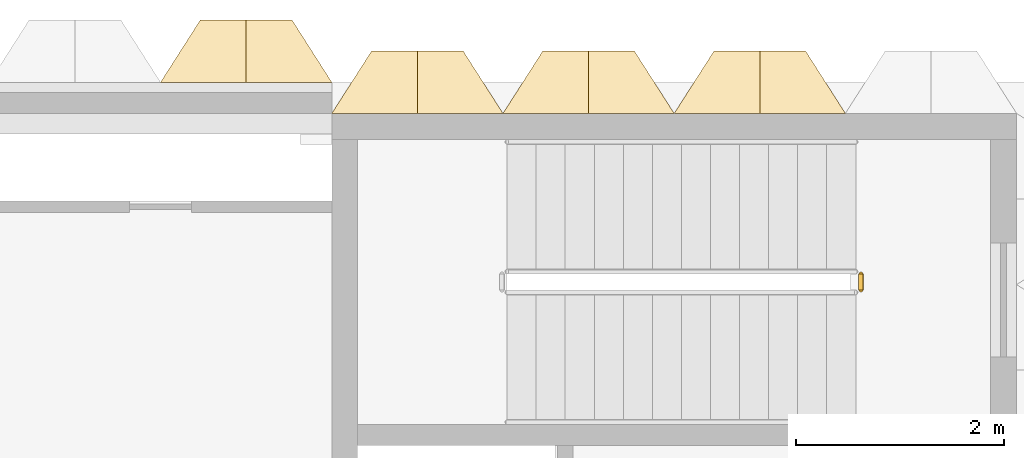
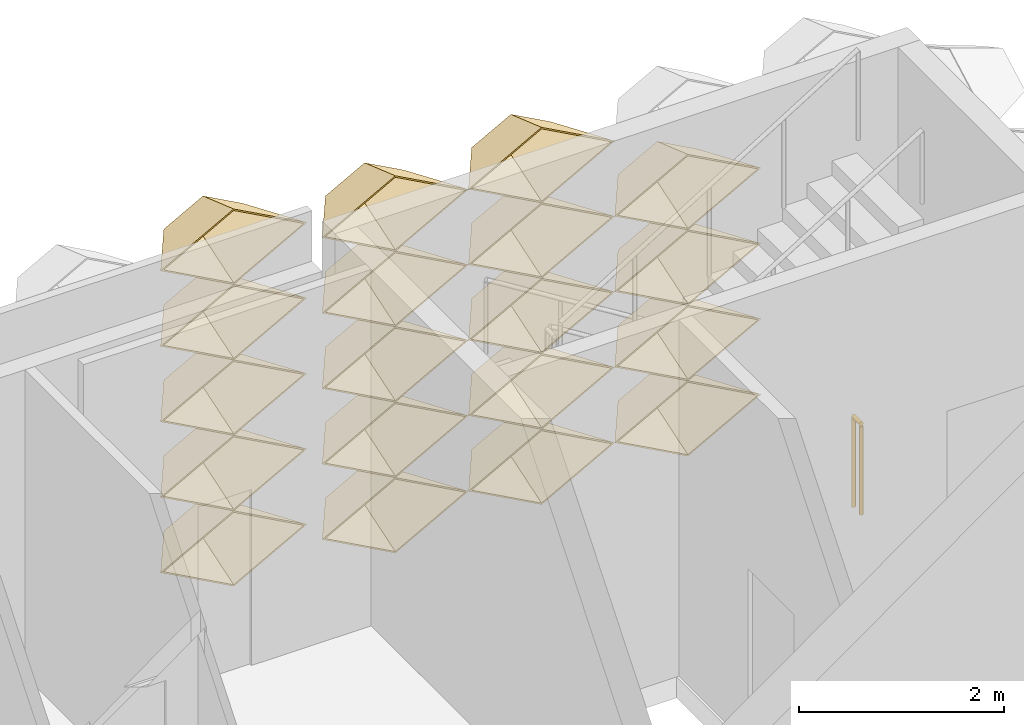
# One storey, part 98 of 109: 19 coverings, 1 railing.
"""IFC4 building model written with IfcOpenShell, lengths in metres."""

from ifc_helpers import new_model, entity, si_unit, direction, frame, origin, origin_2d, place, context, subcontext, project, spatial, circle, extrude, material, layer, layer_set, type_object, element, save


model = new_model("IFC4")

# Units and contexts
model_context = context("Model", 3, precision=1e-05, world=origin(), true_north=direction((0.0, 1.0)))
body_context = subcontext(model_context, "Body", "Model", "MODEL_VIEW")
ifc_project = project(units=[si_unit("LENGTHUNIT", "METRE"), si_unit("AREAUNIT", "SQUARE_METRE"), si_unit("VOLUMEUNIT", "CUBIC_METRE"), si_unit("PLANEANGLEUNIT", "RADIAN"), si_unit("MASSUNIT", "GRAM", prefix="KILO")], contexts=[model_context])

# Site, building, storey
site_placement = place(None, origin())
site = spatial("IfcSite", under=ifc_project, at=site_placement, CompositionType="ELEMENT")
building_placement = place(site_placement, origin())
building = spatial("IfcBuilding", under=site, at=building_placement, Name="Lantern Court Research Institute", CompositionType="ELEMENT")
storey_placement = place(building_placement, frame((0.0, 0.0, 14.39990234375)))
storey = spatial("IfcBuildingStorey", under=building, at=storey_placement, Name="L03", CompositionType="ELEMENT", Elevation=14.39990234375)

# Coverings
ifc_material_1 = material(Name="Anodised aluminium", Category="aluminium")
ifc_layer = layer(ifc_material_1, 0.01611328125)
ifc_layer_set = layer_set([ifc_layer], Name="Anodised aluminium")
covering_type = type_object("IfcCoveringType", Name="Fin cassette 1650 x 900 x 600 aluminium", PredefinedType="CLADDING", material=ifc_layer_set)
covering_1_placement = place(storey_placement, frame((73.425048828125, 99.0, 0.4501953125), z_axis=(0.0, 1.0, 0.0), x_axis=(-1.0, 0.0, 0.0)))
cartesian_point_1 = entity("IfcCartesianPoint", [0.824951171875, 0.0])
cartesian_point_2 = entity("IfcCartesianPoint", [0.79150390625, 0.0])
cartesian_point_3 = entity("IfcCartesianPoint", [0.44189453125, 0.0])
cartesian_point_4 = entity("IfcCartesianPoint", [0.43359375, 0.0])
element("IfcCovering", 1, at=covering_1_placement, inside=storey, type_object=covering_type, Name="Fin cassette V6N-L03 1.45", PredefinedType="CLADDING", context=body_context, shape_type="SweptSolid", body=[
    entity("IfcExtrudedAreaSolidTapered", entity("IfcArbitraryProfileDefWithVoids", "AREA", None, entity("IfcPolyline", [cartesian_point_1, entity("IfcCartesianPoint", [0.0, 0.449951171875]), entity("IfcCartesianPoint", [-0.824951171875, 0.0]), entity("IfcCartesianPoint", [0.0, -0.449951171875]), cartesian_point_1]), [entity("IfcPolyline", [cartesian_point_2, entity("IfcCartesianPoint", [0.0, 0.431884765625]), entity("IfcCartesianPoint", [-0.79150390625, 0.0]), entity("IfcCartesianPoint", [0.0, -0.431884765625]), cartesian_point_2])]), entity("IfcAxis2Placement3D", entity("IfcCartesianPoint", [0.0, 0.0, 0.0])), entity("IfcDirection", [0.0, 0.0, 1.0]), 0.60009765625, entity("IfcArbitraryProfileDefWithVoids", "AREA", None, entity("IfcPolyline", [cartesian_point_3, entity("IfcCartesianPoint", [0.0, 0.240966796875]), entity("IfcCartesianPoint", [-0.44189453125, 0.0]), entity("IfcCartesianPoint", [0.0, -0.240966796875]), cartesian_point_3]), [entity("IfcPolyline", [cartesian_point_4, entity("IfcCartesianPoint", [0.0, 0.236572265625]), entity("IfcCartesianPoint", [-0.43359375, 0.0]), entity("IfcCartesianPoint", [0.0, -0.236572265625]), cartesian_point_4])])),
])
covering_2_placement = place(storey_placement, frame((75.074951171875, 99.0, 0.4501953125), z_axis=(0.0, 1.0, 0.0), x_axis=(-1.0, 0.0, 0.0)))
cartesian_point_5 = entity("IfcCartesianPoint", [0.824951171875, 0.0])
cartesian_point_6 = entity("IfcCartesianPoint", [0.79150390625, 0.0])
cartesian_point_7 = entity("IfcCartesianPoint", [0.44189453125, 0.0])
cartesian_point_8 = entity("IfcCartesianPoint", [0.43359375, 0.0])
element("IfcCovering", 2, at=covering_2_placement, inside=storey, type_object=covering_type, Name="Fin cassette V6N-L03 1.46", PredefinedType="CLADDING", context=body_context, shape_type="SweptSolid", body=[
    entity("IfcExtrudedAreaSolidTapered", entity("IfcArbitraryProfileDefWithVoids", "AREA", None, entity("IfcPolyline", [cartesian_point_5, entity("IfcCartesianPoint", [0.0, 0.449951171875]), entity("IfcCartesianPoint", [-0.824951171875, 0.0]), entity("IfcCartesianPoint", [0.0, -0.449951171875]), cartesian_point_5]), [entity("IfcPolyline", [cartesian_point_6, entity("IfcCartesianPoint", [0.0, 0.431884765625]), entity("IfcCartesianPoint", [-0.79150390625, 0.0]), entity("IfcCartesianPoint", [0.0, -0.431884765625]), cartesian_point_6])]), entity("IfcAxis2Placement3D", entity("IfcCartesianPoint", [0.0, 0.0, 0.0])), entity("IfcDirection", [0.0, 0.0, 1.0]), 0.60009765625, entity("IfcArbitraryProfileDefWithVoids", "AREA", None, entity("IfcPolyline", [cartesian_point_7, entity("IfcCartesianPoint", [0.0, 0.240966796875]), entity("IfcCartesianPoint", [-0.44189453125, 0.0]), entity("IfcCartesianPoint", [0.0, -0.240966796875]), cartesian_point_7]), [entity("IfcPolyline", [cartesian_point_8, entity("IfcCartesianPoint", [0.0, 0.236572265625]), entity("IfcCartesianPoint", [-0.43359375, 0.0]), entity("IfcCartesianPoint", [0.0, -0.236572265625]), cartesian_point_8])])),
])
covering_3_placement = place(storey_placement, frame((76.72509765625, 99.0, 0.4501953125), z_axis=(0.0, 1.0, 0.0), x_axis=(-1.0, 0.0, 0.0)))
cartesian_point_9 = entity("IfcCartesianPoint", [0.824951171875, 0.0])
cartesian_point_10 = entity("IfcCartesianPoint", [0.79150390625, 0.0])
cartesian_point_11 = entity("IfcCartesianPoint", [0.44189453125, 0.0])
cartesian_point_12 = entity("IfcCartesianPoint", [0.43359375, 0.0])
element("IfcCovering", 3, at=covering_3_placement, inside=storey, type_object=covering_type, Name="Fin cassette V6N-L03 1.47", PredefinedType="CLADDING", context=body_context, shape_type="SweptSolid", body=[
    entity("IfcExtrudedAreaSolidTapered", entity("IfcArbitraryProfileDefWithVoids", "AREA", None, entity("IfcPolyline", [cartesian_point_9, entity("IfcCartesianPoint", [0.0, 0.449951171875]), entity("IfcCartesianPoint", [-0.824951171875, 0.0]), entity("IfcCartesianPoint", [0.0, -0.449951171875]), cartesian_point_9]), [entity("IfcPolyline", [cartesian_point_10, entity("IfcCartesianPoint", [0.0, 0.431884765625]), entity("IfcCartesianPoint", [-0.79150390625, 0.0]), entity("IfcCartesianPoint", [0.0, -0.431884765625]), cartesian_point_10])]), entity("IfcAxis2Placement3D", entity("IfcCartesianPoint", [0.0, 0.0, 0.0])), entity("IfcDirection", [0.0, 0.0, 1.0]), 0.60009765625, entity("IfcArbitraryProfileDefWithVoids", "AREA", None, entity("IfcPolyline", [cartesian_point_11, entity("IfcCartesianPoint", [0.0, 0.240966796875]), entity("IfcCartesianPoint", [-0.44189453125, 0.0]), entity("IfcCartesianPoint", [0.0, -0.240966796875]), cartesian_point_11]), [entity("IfcPolyline", [cartesian_point_12, entity("IfcCartesianPoint", [0.0, 0.236572265625]), entity("IfcCartesianPoint", [-0.43359375, 0.0]), entity("IfcCartesianPoint", [0.0, -0.236572265625]), cartesian_point_12])])),
])
covering_4_placement = place(storey_placement, frame((73.425048828125, 99.0, 1.35009765625), z_axis=(0.0, 1.0, 0.0), x_axis=(-1.0, 0.0, 0.0)))
cartesian_point_13 = entity("IfcCartesianPoint", [0.824951171875, 0.0])
cartesian_point_14 = entity("IfcCartesianPoint", [0.79150390625, 0.0])
cartesian_point_15 = entity("IfcCartesianPoint", [0.44189453125, 0.0])
cartesian_point_16 = entity("IfcCartesianPoint", [0.43359375, 0.0])
element("IfcCovering", 4, at=covering_4_placement, inside=storey, type_object=covering_type, Name="Fin cassette V6N-L03 2.45", PredefinedType="CLADDING", context=body_context, shape_type="SweptSolid", body=[
    entity("IfcExtrudedAreaSolidTapered", entity("IfcArbitraryProfileDefWithVoids", "AREA", None, entity("IfcPolyline", [cartesian_point_13, entity("IfcCartesianPoint", [0.0, 0.449951171875]), entity("IfcCartesianPoint", [-0.824951171875, 0.0]), entity("IfcCartesianPoint", [0.0, -0.449951171875]), cartesian_point_13]), [entity("IfcPolyline", [cartesian_point_14, entity("IfcCartesianPoint", [0.0, 0.431884765625]), entity("IfcCartesianPoint", [-0.79150390625, 0.0]), entity("IfcCartesianPoint", [0.0, -0.431884765625]), cartesian_point_14])]), entity("IfcAxis2Placement3D", entity("IfcCartesianPoint", [0.0, 0.0, 0.0])), entity("IfcDirection", [0.0, 0.0, 1.0]), 0.60009765625, entity("IfcArbitraryProfileDefWithVoids", "AREA", None, entity("IfcPolyline", [cartesian_point_15, entity("IfcCartesianPoint", [0.0, 0.240966796875]), entity("IfcCartesianPoint", [-0.44189453125, 0.0]), entity("IfcCartesianPoint", [0.0, -0.240966796875]), cartesian_point_15]), [entity("IfcPolyline", [cartesian_point_16, entity("IfcCartesianPoint", [0.0, 0.236572265625]), entity("IfcCartesianPoint", [-0.43359375, 0.0]), entity("IfcCartesianPoint", [0.0, -0.236572265625]), cartesian_point_16])])),
])
covering_5_placement = place(storey_placement, frame((75.074951171875, 99.0, 1.35009765625), z_axis=(0.0, 1.0, 0.0), x_axis=(-1.0, 0.0, 0.0)))
cartesian_point_17 = entity("IfcCartesianPoint", [0.824951171875, 0.0])
cartesian_point_18 = entity("IfcCartesianPoint", [0.79150390625, 0.0])
cartesian_point_19 = entity("IfcCartesianPoint", [0.44189453125, 0.0])
cartesian_point_20 = entity("IfcCartesianPoint", [0.43359375, 0.0])
element("IfcCovering", 5, at=covering_5_placement, inside=storey, type_object=covering_type, Name="Fin cassette V6N-L03 2.46", PredefinedType="CLADDING", context=body_context, shape_type="SweptSolid", body=[
    entity("IfcExtrudedAreaSolidTapered", entity("IfcArbitraryProfileDefWithVoids", "AREA", None, entity("IfcPolyline", [cartesian_point_17, entity("IfcCartesianPoint", [0.0, 0.449951171875]), entity("IfcCartesianPoint", [-0.824951171875, 0.0]), entity("IfcCartesianPoint", [0.0, -0.449951171875]), cartesian_point_17]), [entity("IfcPolyline", [cartesian_point_18, entity("IfcCartesianPoint", [0.0, 0.431884765625]), entity("IfcCartesianPoint", [-0.79150390625, 0.0]), entity("IfcCartesianPoint", [0.0, -0.431884765625]), cartesian_point_18])]), entity("IfcAxis2Placement3D", entity("IfcCartesianPoint", [0.0, 0.0, 0.0])), entity("IfcDirection", [0.0, 0.0, 1.0]), 0.60009765625, entity("IfcArbitraryProfileDefWithVoids", "AREA", None, entity("IfcPolyline", [cartesian_point_19, entity("IfcCartesianPoint", [0.0, 0.240966796875]), entity("IfcCartesianPoint", [-0.44189453125, 0.0]), entity("IfcCartesianPoint", [0.0, -0.240966796875]), cartesian_point_19]), [entity("IfcPolyline", [cartesian_point_20, entity("IfcCartesianPoint", [0.0, 0.236572265625]), entity("IfcCartesianPoint", [-0.43359375, 0.0]), entity("IfcCartesianPoint", [0.0, -0.236572265625]), cartesian_point_20])])),
])
covering_6_placement = place(storey_placement, frame((76.72509765625, 99.0, 1.35009765625), z_axis=(0.0, 1.0, 0.0), x_axis=(-1.0, 0.0, 0.0)))
cartesian_point_21 = entity("IfcCartesianPoint", [0.824951171875, 0.0])
cartesian_point_22 = entity("IfcCartesianPoint", [0.79150390625, 0.0])
cartesian_point_23 = entity("IfcCartesianPoint", [0.44189453125, 0.0])
cartesian_point_24 = entity("IfcCartesianPoint", [0.43359375, 0.0])
element("IfcCovering", 6, at=covering_6_placement, inside=storey, type_object=covering_type, Name="Fin cassette V6N-L03 2.47", PredefinedType="CLADDING", context=body_context, shape_type="SweptSolid", body=[
    entity("IfcExtrudedAreaSolidTapered", entity("IfcArbitraryProfileDefWithVoids", "AREA", None, entity("IfcPolyline", [cartesian_point_21, entity("IfcCartesianPoint", [0.0, 0.449951171875]), entity("IfcCartesianPoint", [-0.824951171875, 0.0]), entity("IfcCartesianPoint", [0.0, -0.449951171875]), cartesian_point_21]), [entity("IfcPolyline", [cartesian_point_22, entity("IfcCartesianPoint", [0.0, 0.431884765625]), entity("IfcCartesianPoint", [-0.79150390625, 0.0]), entity("IfcCartesianPoint", [0.0, -0.431884765625]), cartesian_point_22])]), entity("IfcAxis2Placement3D", entity("IfcCartesianPoint", [0.0, 0.0, 0.0])), entity("IfcDirection", [0.0, 0.0, 1.0]), 0.60009765625, entity("IfcArbitraryProfileDefWithVoids", "AREA", None, entity("IfcPolyline", [cartesian_point_23, entity("IfcCartesianPoint", [0.0, 0.240966796875]), entity("IfcCartesianPoint", [-0.44189453125, 0.0]), entity("IfcCartesianPoint", [0.0, -0.240966796875]), cartesian_point_23]), [entity("IfcPolyline", [cartesian_point_24, entity("IfcCartesianPoint", [0.0, 0.236572265625]), entity("IfcCartesianPoint", [-0.43359375, 0.0]), entity("IfcCartesianPoint", [0.0, -0.236572265625]), cartesian_point_24])])),
])
covering_7_placement = place(storey_placement, frame((73.425048828125, 99.0, 2.25), z_axis=(0.0, 1.0, 0.0), x_axis=(-1.0, 0.0, 0.0)))
cartesian_point_25 = entity("IfcCartesianPoint", [0.824951171875, 0.0])
cartesian_point_26 = entity("IfcCartesianPoint", [0.79150390625, 0.0])
cartesian_point_27 = entity("IfcCartesianPoint", [0.44189453125, 0.0])
cartesian_point_28 = entity("IfcCartesianPoint", [0.43359375, 0.0])
element("IfcCovering", 7, at=covering_7_placement, inside=storey, type_object=covering_type, Name="Fin cassette V6N-L03 3.45", PredefinedType="CLADDING", context=body_context, shape_type="SweptSolid", body=[
    entity("IfcExtrudedAreaSolidTapered", entity("IfcArbitraryProfileDefWithVoids", "AREA", None, entity("IfcPolyline", [cartesian_point_25, entity("IfcCartesianPoint", [0.0, 0.449951171875]), entity("IfcCartesianPoint", [-0.824951171875, 0.0]), entity("IfcCartesianPoint", [0.0, -0.449951171875]), cartesian_point_25]), [entity("IfcPolyline", [cartesian_point_26, entity("IfcCartesianPoint", [0.0, 0.431884765625]), entity("IfcCartesianPoint", [-0.79150390625, 0.0]), entity("IfcCartesianPoint", [0.0, -0.431884765625]), cartesian_point_26])]), entity("IfcAxis2Placement3D", entity("IfcCartesianPoint", [0.0, 0.0, 0.0])), entity("IfcDirection", [0.0, 0.0, 1.0]), 0.60009765625, entity("IfcArbitraryProfileDefWithVoids", "AREA", None, entity("IfcPolyline", [cartesian_point_27, entity("IfcCartesianPoint", [0.0, 0.240966796875]), entity("IfcCartesianPoint", [-0.44189453125, 0.0]), entity("IfcCartesianPoint", [0.0, -0.240966796875]), cartesian_point_27]), [entity("IfcPolyline", [cartesian_point_28, entity("IfcCartesianPoint", [0.0, 0.236572265625]), entity("IfcCartesianPoint", [-0.43359375, 0.0]), entity("IfcCartesianPoint", [0.0, -0.236572265625]), cartesian_point_28])])),
])
covering_8_placement = place(storey_placement, frame((75.074951171875, 99.0, 2.25), z_axis=(0.0, 1.0, 0.0), x_axis=(-1.0, 0.0, 0.0)))
cartesian_point_29 = entity("IfcCartesianPoint", [0.824951171875, 0.0])
cartesian_point_30 = entity("IfcCartesianPoint", [0.79150390625, 0.0])
cartesian_point_31 = entity("IfcCartesianPoint", [0.44189453125, 0.0])
cartesian_point_32 = entity("IfcCartesianPoint", [0.43359375, 0.0])
element("IfcCovering", 8, at=covering_8_placement, inside=storey, type_object=covering_type, Name="Fin cassette V6N-L03 3.46", PredefinedType="CLADDING", context=body_context, shape_type="SweptSolid", body=[
    entity("IfcExtrudedAreaSolidTapered", entity("IfcArbitraryProfileDefWithVoids", "AREA", None, entity("IfcPolyline", [cartesian_point_29, entity("IfcCartesianPoint", [0.0, 0.449951171875]), entity("IfcCartesianPoint", [-0.824951171875, 0.0]), entity("IfcCartesianPoint", [0.0, -0.449951171875]), cartesian_point_29]), [entity("IfcPolyline", [cartesian_point_30, entity("IfcCartesianPoint", [0.0, 0.431884765625]), entity("IfcCartesianPoint", [-0.79150390625, 0.0]), entity("IfcCartesianPoint", [0.0, -0.431884765625]), cartesian_point_30])]), entity("IfcAxis2Placement3D", entity("IfcCartesianPoint", [0.0, 0.0, 0.0])), entity("IfcDirection", [0.0, 0.0, 1.0]), 0.60009765625, entity("IfcArbitraryProfileDefWithVoids", "AREA", None, entity("IfcPolyline", [cartesian_point_31, entity("IfcCartesianPoint", [0.0, 0.240966796875]), entity("IfcCartesianPoint", [-0.44189453125, 0.0]), entity("IfcCartesianPoint", [0.0, -0.240966796875]), cartesian_point_31]), [entity("IfcPolyline", [cartesian_point_32, entity("IfcCartesianPoint", [0.0, 0.236572265625]), entity("IfcCartesianPoint", [-0.43359375, 0.0]), entity("IfcCartesianPoint", [0.0, -0.236572265625]), cartesian_point_32])])),
])
covering_9_placement = place(storey_placement, frame((76.72509765625, 99.0, 2.25), z_axis=(0.0, 1.0, 0.0), x_axis=(-1.0, 0.0, 0.0)))
cartesian_point_33 = entity("IfcCartesianPoint", [0.824951171875, 0.0])
cartesian_point_34 = entity("IfcCartesianPoint", [0.79150390625, 0.0])
cartesian_point_35 = entity("IfcCartesianPoint", [0.44189453125, 0.0])
cartesian_point_36 = entity("IfcCartesianPoint", [0.43359375, 0.0])
element("IfcCovering", 9, at=covering_9_placement, inside=storey, type_object=covering_type, Name="Fin cassette V6N-L03 3.47", PredefinedType="CLADDING", context=body_context, shape_type="SweptSolid", body=[
    entity("IfcExtrudedAreaSolidTapered", entity("IfcArbitraryProfileDefWithVoids", "AREA", None, entity("IfcPolyline", [cartesian_point_33, entity("IfcCartesianPoint", [0.0, 0.449951171875]), entity("IfcCartesianPoint", [-0.824951171875, 0.0]), entity("IfcCartesianPoint", [0.0, -0.449951171875]), cartesian_point_33]), [entity("IfcPolyline", [cartesian_point_34, entity("IfcCartesianPoint", [0.0, 0.431884765625]), entity("IfcCartesianPoint", [-0.79150390625, 0.0]), entity("IfcCartesianPoint", [0.0, -0.431884765625]), cartesian_point_34])]), entity("IfcAxis2Placement3D", entity("IfcCartesianPoint", [0.0, 0.0, 0.0])), entity("IfcDirection", [0.0, 0.0, 1.0]), 0.60009765625, entity("IfcArbitraryProfileDefWithVoids", "AREA", None, entity("IfcPolyline", [cartesian_point_35, entity("IfcCartesianPoint", [0.0, 0.240966796875]), entity("IfcCartesianPoint", [-0.44189453125, 0.0]), entity("IfcCartesianPoint", [0.0, -0.240966796875]), cartesian_point_35]), [entity("IfcPolyline", [cartesian_point_36, entity("IfcCartesianPoint", [0.0, 0.236572265625]), entity("IfcCartesianPoint", [-0.43359375, 0.0]), entity("IfcCartesianPoint", [0.0, -0.236572265625]), cartesian_point_36])])),
])
covering_10_placement = place(storey_placement, frame((73.425048828125, 99.0, 3.150146484375), z_axis=(0.0, 1.0, 0.0), x_axis=(-1.0, 0.0, 0.0)))
cartesian_point_37 = entity("IfcCartesianPoint", [0.824951171875, 0.0])
cartesian_point_38 = entity("IfcCartesianPoint", [0.79150390625, 0.0])
cartesian_point_39 = entity("IfcCartesianPoint", [0.44189453125, 0.0])
cartesian_point_40 = entity("IfcCartesianPoint", [0.43359375, 0.0])
element("IfcCovering", 10, at=covering_10_placement, inside=storey, type_object=covering_type, Name="Fin cassette V6N-L03 4.45", PredefinedType="CLADDING", context=body_context, shape_type="SweptSolid", body=[
    entity("IfcExtrudedAreaSolidTapered", entity("IfcArbitraryProfileDefWithVoids", "AREA", None, entity("IfcPolyline", [cartesian_point_37, entity("IfcCartesianPoint", [0.0, 0.449951171875]), entity("IfcCartesianPoint", [-0.824951171875, 0.0]), entity("IfcCartesianPoint", [0.0, -0.449951171875]), cartesian_point_37]), [entity("IfcPolyline", [cartesian_point_38, entity("IfcCartesianPoint", [0.0, 0.431884765625]), entity("IfcCartesianPoint", [-0.79150390625, 0.0]), entity("IfcCartesianPoint", [0.0, -0.431884765625]), cartesian_point_38])]), entity("IfcAxis2Placement3D", entity("IfcCartesianPoint", [0.0, 0.0, 0.0])), entity("IfcDirection", [0.0, 0.0, 1.0]), 0.60009765625, entity("IfcArbitraryProfileDefWithVoids", "AREA", None, entity("IfcPolyline", [cartesian_point_39, entity("IfcCartesianPoint", [0.0, 0.240966796875]), entity("IfcCartesianPoint", [-0.44189453125, 0.0]), entity("IfcCartesianPoint", [0.0, -0.240966796875]), cartesian_point_39]), [entity("IfcPolyline", [cartesian_point_40, entity("IfcCartesianPoint", [0.0, 0.236572265625]), entity("IfcCartesianPoint", [-0.43359375, 0.0]), entity("IfcCartesianPoint", [0.0, -0.236572265625]), cartesian_point_40])])),
])
covering_11_placement = place(storey_placement, frame((75.074951171875, 99.0, 3.150146484375), z_axis=(0.0, 1.0, 0.0), x_axis=(-1.0, 0.0, 0.0)))
cartesian_point_41 = entity("IfcCartesianPoint", [0.824951171875, 0.0])
cartesian_point_42 = entity("IfcCartesianPoint", [0.79150390625, 0.0])
cartesian_point_43 = entity("IfcCartesianPoint", [0.44189453125, 0.0])
cartesian_point_44 = entity("IfcCartesianPoint", [0.43359375, 0.0])
element("IfcCovering", 11, at=covering_11_placement, inside=storey, type_object=covering_type, Name="Fin cassette V6N-L03 4.46", PredefinedType="CLADDING", context=body_context, shape_type="SweptSolid", body=[
    entity("IfcExtrudedAreaSolidTapered", entity("IfcArbitraryProfileDefWithVoids", "AREA", None, entity("IfcPolyline", [cartesian_point_41, entity("IfcCartesianPoint", [0.0, 0.449951171875]), entity("IfcCartesianPoint", [-0.824951171875, 0.0]), entity("IfcCartesianPoint", [0.0, -0.449951171875]), cartesian_point_41]), [entity("IfcPolyline", [cartesian_point_42, entity("IfcCartesianPoint", [0.0, 0.431884765625]), entity("IfcCartesianPoint", [-0.79150390625, 0.0]), entity("IfcCartesianPoint", [0.0, -0.431884765625]), cartesian_point_42])]), entity("IfcAxis2Placement3D", entity("IfcCartesianPoint", [0.0, 0.0, 0.0])), entity("IfcDirection", [0.0, 0.0, 1.0]), 0.60009765625, entity("IfcArbitraryProfileDefWithVoids", "AREA", None, entity("IfcPolyline", [cartesian_point_43, entity("IfcCartesianPoint", [0.0, 0.240966796875]), entity("IfcCartesianPoint", [-0.44189453125, 0.0]), entity("IfcCartesianPoint", [0.0, -0.240966796875]), cartesian_point_43]), [entity("IfcPolyline", [cartesian_point_44, entity("IfcCartesianPoint", [0.0, 0.236572265625]), entity("IfcCartesianPoint", [-0.43359375, 0.0]), entity("IfcCartesianPoint", [0.0, -0.236572265625]), cartesian_point_44])])),
])
covering_12_placement = place(storey_placement, frame((76.72509765625, 99.0, 3.150146484375), z_axis=(0.0, 1.0, 0.0), x_axis=(-1.0, 0.0, 0.0)))
cartesian_point_45 = entity("IfcCartesianPoint", [0.824951171875, 0.0])
cartesian_point_46 = entity("IfcCartesianPoint", [0.79150390625, 0.0])
cartesian_point_47 = entity("IfcCartesianPoint", [0.44189453125, 0.0])
cartesian_point_48 = entity("IfcCartesianPoint", [0.43359375, 0.0])
element("IfcCovering", 12, at=covering_12_placement, inside=storey, type_object=covering_type, Name="Fin cassette V6N-L03 4.47", PredefinedType="CLADDING", context=body_context, shape_type="SweptSolid", body=[
    entity("IfcExtrudedAreaSolidTapered", entity("IfcArbitraryProfileDefWithVoids", "AREA", None, entity("IfcPolyline", [cartesian_point_45, entity("IfcCartesianPoint", [0.0, 0.449951171875]), entity("IfcCartesianPoint", [-0.824951171875, 0.0]), entity("IfcCartesianPoint", [0.0, -0.449951171875]), cartesian_point_45]), [entity("IfcPolyline", [cartesian_point_46, entity("IfcCartesianPoint", [0.0, 0.431884765625]), entity("IfcCartesianPoint", [-0.79150390625, 0.0]), entity("IfcCartesianPoint", [0.0, -0.431884765625]), cartesian_point_46])]), entity("IfcAxis2Placement3D", entity("IfcCartesianPoint", [0.0, 0.0, 0.0])), entity("IfcDirection", [0.0, 0.0, 1.0]), 0.60009765625, entity("IfcArbitraryProfileDefWithVoids", "AREA", None, entity("IfcPolyline", [cartesian_point_47, entity("IfcCartesianPoint", [0.0, 0.240966796875]), entity("IfcCartesianPoint", [-0.44189453125, 0.0]), entity("IfcCartesianPoint", [0.0, -0.240966796875]), cartesian_point_47]), [entity("IfcPolyline", [cartesian_point_48, entity("IfcCartesianPoint", [0.0, 0.236572265625]), entity("IfcCartesianPoint", [-0.43359375, 0.0]), entity("IfcCartesianPoint", [0.0, -0.236572265625]), cartesian_point_48])])),
])
covering_13_placement = place(storey_placement, frame((73.425048828125, 99.0, 4.050048828125), z_axis=(0.0, 1.0, 0.0), x_axis=(-1.0, 0.0, 0.0)))
cartesian_point_49 = entity("IfcCartesianPoint", [0.824951171875, 0.0])
cartesian_point_50 = entity("IfcCartesianPoint", [0.79150390625, 0.0])
cartesian_point_51 = entity("IfcCartesianPoint", [0.44189453125, 0.0])
cartesian_point_52 = entity("IfcCartesianPoint", [0.43359375, 0.0])
element("IfcCovering", 13, at=covering_13_placement, inside=storey, type_object=covering_type, Name="Fin cassette V6N-L03 5.45", PredefinedType="CLADDING", context=body_context, shape_type="SweptSolid", body=[
    entity("IfcExtrudedAreaSolidTapered", entity("IfcArbitraryProfileDefWithVoids", "AREA", None, entity("IfcPolyline", [cartesian_point_49, entity("IfcCartesianPoint", [0.0, 0.449951171875]), entity("IfcCartesianPoint", [-0.824951171875, 0.0]), entity("IfcCartesianPoint", [0.0, -0.449951171875]), cartesian_point_49]), [entity("IfcPolyline", [cartesian_point_50, entity("IfcCartesianPoint", [0.0, 0.431884765625]), entity("IfcCartesianPoint", [-0.79150390625, 0.0]), entity("IfcCartesianPoint", [0.0, -0.431884765625]), cartesian_point_50])]), entity("IfcAxis2Placement3D", entity("IfcCartesianPoint", [0.0, 0.0, 0.0])), entity("IfcDirection", [0.0, 0.0, 1.0]), 0.60009765625, entity("IfcArbitraryProfileDefWithVoids", "AREA", None, entity("IfcPolyline", [cartesian_point_51, entity("IfcCartesianPoint", [0.0, 0.240966796875]), entity("IfcCartesianPoint", [-0.44189453125, 0.0]), entity("IfcCartesianPoint", [0.0, -0.240966796875]), cartesian_point_51]), [entity("IfcPolyline", [cartesian_point_52, entity("IfcCartesianPoint", [0.0, 0.236572265625]), entity("IfcCartesianPoint", [-0.43359375, 0.0]), entity("IfcCartesianPoint", [0.0, -0.236572265625]), cartesian_point_52])])),
])
covering_14_placement = place(storey_placement, frame((75.074951171875, 99.0, 4.050048828125), z_axis=(0.0, 1.0, 0.0), x_axis=(-1.0, 0.0, 0.0)))
cartesian_point_53 = entity("IfcCartesianPoint", [0.824951171875, 0.0])
cartesian_point_54 = entity("IfcCartesianPoint", [0.79150390625, 0.0])
cartesian_point_55 = entity("IfcCartesianPoint", [0.44189453125, 0.0])
cartesian_point_56 = entity("IfcCartesianPoint", [0.43359375, 0.0])
element("IfcCovering", 14, at=covering_14_placement, inside=storey, type_object=covering_type, Name="Fin cassette V6N-L03 5.46", PredefinedType="CLADDING", context=body_context, shape_type="SweptSolid", body=[
    entity("IfcExtrudedAreaSolidTapered", entity("IfcArbitraryProfileDefWithVoids", "AREA", None, entity("IfcPolyline", [cartesian_point_53, entity("IfcCartesianPoint", [0.0, 0.449951171875]), entity("IfcCartesianPoint", [-0.824951171875, 0.0]), entity("IfcCartesianPoint", [0.0, -0.449951171875]), cartesian_point_53]), [entity("IfcPolyline", [cartesian_point_54, entity("IfcCartesianPoint", [0.0, 0.431884765625]), entity("IfcCartesianPoint", [-0.79150390625, 0.0]), entity("IfcCartesianPoint", [0.0, -0.431884765625]), cartesian_point_54])]), entity("IfcAxis2Placement3D", entity("IfcCartesianPoint", [0.0, 0.0, 0.0])), entity("IfcDirection", [0.0, 0.0, 1.0]), 0.60009765625, entity("IfcArbitraryProfileDefWithVoids", "AREA", None, entity("IfcPolyline", [cartesian_point_55, entity("IfcCartesianPoint", [0.0, 0.240966796875]), entity("IfcCartesianPoint", [-0.44189453125, 0.0]), entity("IfcCartesianPoint", [0.0, -0.240966796875]), cartesian_point_55]), [entity("IfcPolyline", [cartesian_point_56, entity("IfcCartesianPoint", [0.0, 0.236572265625]), entity("IfcCartesianPoint", [-0.43359375, 0.0]), entity("IfcCartesianPoint", [0.0, -0.236572265625]), cartesian_point_56])])),
])
covering_15_placement = place(storey_placement, frame((71.77490234375, 99.300048828125, 0.4501953125), z_axis=(0.0, 1.0, 0.0), x_axis=(-1.0, 0.0, 0.0)))
cartesian_point_57 = entity("IfcCartesianPoint", [0.824951171875, 0.0])
cartesian_point_58 = entity("IfcCartesianPoint", [0.79150390625, 0.0])
cartesian_point_59 = entity("IfcCartesianPoint", [0.44189453125, 0.0])
cartesian_point_60 = entity("IfcCartesianPoint", [0.43359375, 0.0])
element("IfcCovering", 15, at=covering_15_placement, inside=storey, type_object=covering_type, Name="Fin cassette V6N-L03 1.44", PredefinedType="CLADDING", context=body_context, shape_type="SweptSolid", body=[
    entity("IfcExtrudedAreaSolidTapered", entity("IfcArbitraryProfileDefWithVoids", "AREA", None, entity("IfcPolyline", [cartesian_point_57, entity("IfcCartesianPoint", [0.0, 0.449951171875]), entity("IfcCartesianPoint", [-0.824951171875, 0.0]), entity("IfcCartesianPoint", [0.0, -0.449951171875]), cartesian_point_57]), [entity("IfcPolyline", [cartesian_point_58, entity("IfcCartesianPoint", [0.0, 0.431884765625]), entity("IfcCartesianPoint", [-0.79150390625, 0.0]), entity("IfcCartesianPoint", [0.0, -0.431884765625]), cartesian_point_58])]), entity("IfcAxis2Placement3D", entity("IfcCartesianPoint", [0.0, 0.0, 0.0])), entity("IfcDirection", [0.0, 0.0, 1.0]), 0.60009765625, entity("IfcArbitraryProfileDefWithVoids", "AREA", None, entity("IfcPolyline", [cartesian_point_59, entity("IfcCartesianPoint", [0.0, 0.240966796875]), entity("IfcCartesianPoint", [-0.44189453125, 0.0]), entity("IfcCartesianPoint", [0.0, -0.240966796875]), cartesian_point_59]), [entity("IfcPolyline", [cartesian_point_60, entity("IfcCartesianPoint", [0.0, 0.236572265625]), entity("IfcCartesianPoint", [-0.43359375, 0.0]), entity("IfcCartesianPoint", [0.0, -0.236572265625]), cartesian_point_60])])),
])
covering_16_placement = place(storey_placement, frame((71.77490234375, 99.300048828125, 1.35009765625), z_axis=(0.0, 1.0, 0.0), x_axis=(-1.0, 0.0, 0.0)))
cartesian_point_61 = entity("IfcCartesianPoint", [0.824951171875, 0.0])
cartesian_point_62 = entity("IfcCartesianPoint", [0.79150390625, 0.0])
cartesian_point_63 = entity("IfcCartesianPoint", [0.44189453125, 0.0])
cartesian_point_64 = entity("IfcCartesianPoint", [0.43359375, 0.0])
element("IfcCovering", 16, at=covering_16_placement, inside=storey, type_object=covering_type, Name="Fin cassette V6N-L03 2.44", PredefinedType="CLADDING", context=body_context, shape_type="SweptSolid", body=[
    entity("IfcExtrudedAreaSolidTapered", entity("IfcArbitraryProfileDefWithVoids", "AREA", None, entity("IfcPolyline", [cartesian_point_61, entity("IfcCartesianPoint", [0.0, 0.449951171875]), entity("IfcCartesianPoint", [-0.824951171875, 0.0]), entity("IfcCartesianPoint", [0.0, -0.449951171875]), cartesian_point_61]), [entity("IfcPolyline", [cartesian_point_62, entity("IfcCartesianPoint", [0.0, 0.431884765625]), entity("IfcCartesianPoint", [-0.79150390625, 0.0]), entity("IfcCartesianPoint", [0.0, -0.431884765625]), cartesian_point_62])]), entity("IfcAxis2Placement3D", entity("IfcCartesianPoint", [0.0, 0.0, 0.0])), entity("IfcDirection", [0.0, 0.0, 1.0]), 0.60009765625, entity("IfcArbitraryProfileDefWithVoids", "AREA", None, entity("IfcPolyline", [cartesian_point_63, entity("IfcCartesianPoint", [0.0, 0.240966796875]), entity("IfcCartesianPoint", [-0.44189453125, 0.0]), entity("IfcCartesianPoint", [0.0, -0.240966796875]), cartesian_point_63]), [entity("IfcPolyline", [cartesian_point_64, entity("IfcCartesianPoint", [0.0, 0.236572265625]), entity("IfcCartesianPoint", [-0.43359375, 0.0]), entity("IfcCartesianPoint", [0.0, -0.236572265625]), cartesian_point_64])])),
])
covering_17_placement = place(storey_placement, frame((71.77490234375, 99.300048828125, 2.25), z_axis=(0.0, 1.0, 0.0), x_axis=(-1.0, 0.0, 0.0)))
cartesian_point_65 = entity("IfcCartesianPoint", [0.824951171875, 0.0])
cartesian_point_66 = entity("IfcCartesianPoint", [0.79150390625, 0.0])
cartesian_point_67 = entity("IfcCartesianPoint", [0.44189453125, 0.0])
cartesian_point_68 = entity("IfcCartesianPoint", [0.43359375, 0.0])
element("IfcCovering", 17, at=covering_17_placement, inside=storey, type_object=covering_type, Name="Fin cassette V6N-L03 3.44", PredefinedType="CLADDING", context=body_context, shape_type="SweptSolid", body=[
    entity("IfcExtrudedAreaSolidTapered", entity("IfcArbitraryProfileDefWithVoids", "AREA", None, entity("IfcPolyline", [cartesian_point_65, entity("IfcCartesianPoint", [0.0, 0.449951171875]), entity("IfcCartesianPoint", [-0.824951171875, 0.0]), entity("IfcCartesianPoint", [0.0, -0.449951171875]), cartesian_point_65]), [entity("IfcPolyline", [cartesian_point_66, entity("IfcCartesianPoint", [0.0, 0.431884765625]), entity("IfcCartesianPoint", [-0.79150390625, 0.0]), entity("IfcCartesianPoint", [0.0, -0.431884765625]), cartesian_point_66])]), entity("IfcAxis2Placement3D", entity("IfcCartesianPoint", [0.0, 0.0, 0.0])), entity("IfcDirection", [0.0, 0.0, 1.0]), 0.60009765625, entity("IfcArbitraryProfileDefWithVoids", "AREA", None, entity("IfcPolyline", [cartesian_point_67, entity("IfcCartesianPoint", [0.0, 0.240966796875]), entity("IfcCartesianPoint", [-0.44189453125, 0.0]), entity("IfcCartesianPoint", [0.0, -0.240966796875]), cartesian_point_67]), [entity("IfcPolyline", [cartesian_point_68, entity("IfcCartesianPoint", [0.0, 0.236572265625]), entity("IfcCartesianPoint", [-0.43359375, 0.0]), entity("IfcCartesianPoint", [0.0, -0.236572265625]), cartesian_point_68])])),
])
covering_18_placement = place(storey_placement, frame((71.77490234375, 99.300048828125, 3.150146484375), z_axis=(0.0, 1.0, 0.0), x_axis=(-1.0, 0.0, 0.0)))
cartesian_point_69 = entity("IfcCartesianPoint", [0.824951171875, 0.0])
cartesian_point_70 = entity("IfcCartesianPoint", [0.79150390625, 0.0])
cartesian_point_71 = entity("IfcCartesianPoint", [0.44189453125, 0.0])
cartesian_point_72 = entity("IfcCartesianPoint", [0.43359375, 0.0])
element("IfcCovering", 18, at=covering_18_placement, inside=storey, type_object=covering_type, Name="Fin cassette V6N-L03 4.44", PredefinedType="CLADDING", context=body_context, shape_type="SweptSolid", body=[
    entity("IfcExtrudedAreaSolidTapered", entity("IfcArbitraryProfileDefWithVoids", "AREA", None, entity("IfcPolyline", [cartesian_point_69, entity("IfcCartesianPoint", [0.0, 0.449951171875]), entity("IfcCartesianPoint", [-0.824951171875, 0.0]), entity("IfcCartesianPoint", [0.0, -0.449951171875]), cartesian_point_69]), [entity("IfcPolyline", [cartesian_point_70, entity("IfcCartesianPoint", [0.0, 0.431884765625]), entity("IfcCartesianPoint", [-0.79150390625, 0.0]), entity("IfcCartesianPoint", [0.0, -0.431884765625]), cartesian_point_70])]), entity("IfcAxis2Placement3D", entity("IfcCartesianPoint", [0.0, 0.0, 0.0])), entity("IfcDirection", [0.0, 0.0, 1.0]), 0.60009765625, entity("IfcArbitraryProfileDefWithVoids", "AREA", None, entity("IfcPolyline", [cartesian_point_71, entity("IfcCartesianPoint", [0.0, 0.240966796875]), entity("IfcCartesianPoint", [-0.44189453125, 0.0]), entity("IfcCartesianPoint", [0.0, -0.240966796875]), cartesian_point_71]), [entity("IfcPolyline", [cartesian_point_72, entity("IfcCartesianPoint", [0.0, 0.236572265625]), entity("IfcCartesianPoint", [-0.43359375, 0.0]), entity("IfcCartesianPoint", [0.0, -0.236572265625]), cartesian_point_72])])),
])
covering_19_placement = place(storey_placement, frame((71.77490234375, 99.300048828125, 4.050048828125), z_axis=(0.0, 1.0, 0.0), x_axis=(-1.0, 0.0, 0.0)))
cartesian_point_73 = entity("IfcCartesianPoint", [0.824951171875, 0.0])
cartesian_point_74 = entity("IfcCartesianPoint", [0.79150390625, 0.0])
cartesian_point_75 = entity("IfcCartesianPoint", [0.44189453125, 0.0])
cartesian_point_76 = entity("IfcCartesianPoint", [0.43359375, 0.0])
element("IfcCovering", 19, at=covering_19_placement, inside=storey, type_object=covering_type, Name="Fin cassette V6N-L03 5.44", PredefinedType="CLADDING", context=body_context, shape_type="SweptSolid", body=[
    entity("IfcExtrudedAreaSolidTapered", entity("IfcArbitraryProfileDefWithVoids", "AREA", None, entity("IfcPolyline", [cartesian_point_73, entity("IfcCartesianPoint", [0.0, 0.449951171875]), entity("IfcCartesianPoint", [-0.824951171875, 0.0]), entity("IfcCartesianPoint", [0.0, -0.449951171875]), cartesian_point_73]), [entity("IfcPolyline", [cartesian_point_74, entity("IfcCartesianPoint", [0.0, 0.431884765625]), entity("IfcCartesianPoint", [-0.79150390625, 0.0]), entity("IfcCartesianPoint", [0.0, -0.431884765625]), cartesian_point_74])]), entity("IfcAxis2Placement3D", entity("IfcCartesianPoint", [0.0, 0.0, 0.0])), entity("IfcDirection", [0.0, 0.0, 1.0]), 0.60009765625, entity("IfcArbitraryProfileDefWithVoids", "AREA", None, entity("IfcPolyline", [cartesian_point_75, entity("IfcCartesianPoint", [0.0, 0.240966796875]), entity("IfcCartesianPoint", [-0.44189453125, 0.0]), entity("IfcCartesianPoint", [0.0, -0.240966796875]), cartesian_point_75]), [entity("IfcPolyline", [cartesian_point_76, entity("IfcCartesianPoint", [0.0, 0.236572265625]), entity("IfcCartesianPoint", [-0.43359375, 0.0]), entity("IfcCartesianPoint", [0.0, -0.236572265625]), cartesian_point_76])])),
])

# Railing
ifc_material_2 = material(Name="Structural steel S355", Category="steel")
railing_type = type_object("IfcRailingType", Name="Stair guard 1100 steel", PredefinedType="GUARDRAIL", material=ifc_material_2)
railing_placement = place(storey_placement, frame((77.699951171875, 97.449951171875, 0.0)))
element("IfcRailing", 20, at=railing_placement, inside=storey, type_object=railing_type, Name="L03 ST-W3 stair guard 4", PredefinedType="GUARDRAIL", context=body_context, shape_type="SweptSolid", body=[
    extrude(circle(Radius=0.02392578125, at=origin_2d()), frame((0.0, 0.0, 1.076171875), z_axis=(0.0, -1.0, 0.0), x_axis=(1.0, 0.0, 0.0)), (0.0, 0.0, 1.0), 0.14990234375),
    extrude(circle(Radius=0.02099609375, at=origin_2d()), origin(), (0.0, 0.0, 1.0), 1.052001953125),
    extrude(circle(Radius=0.02099609375, at=origin_2d()), frame((0.0, -0.14990234375, 0.0)), (0.0, 0.0, 1.0), 1.052001953125),
])

save(model, "model.ifc")
